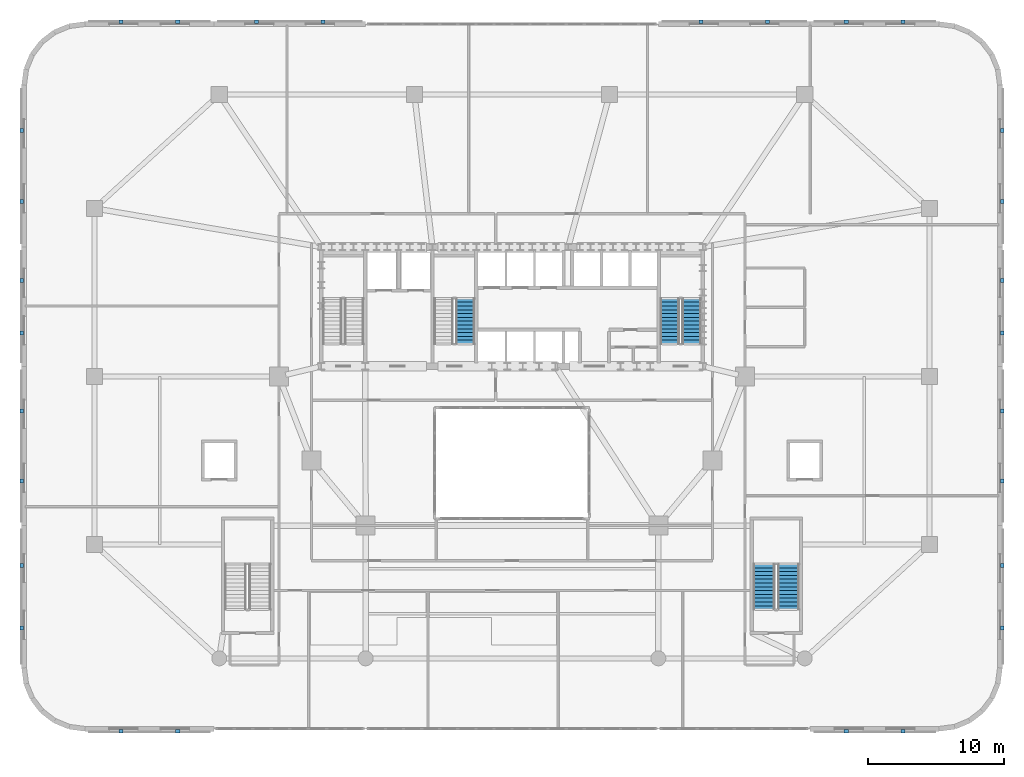
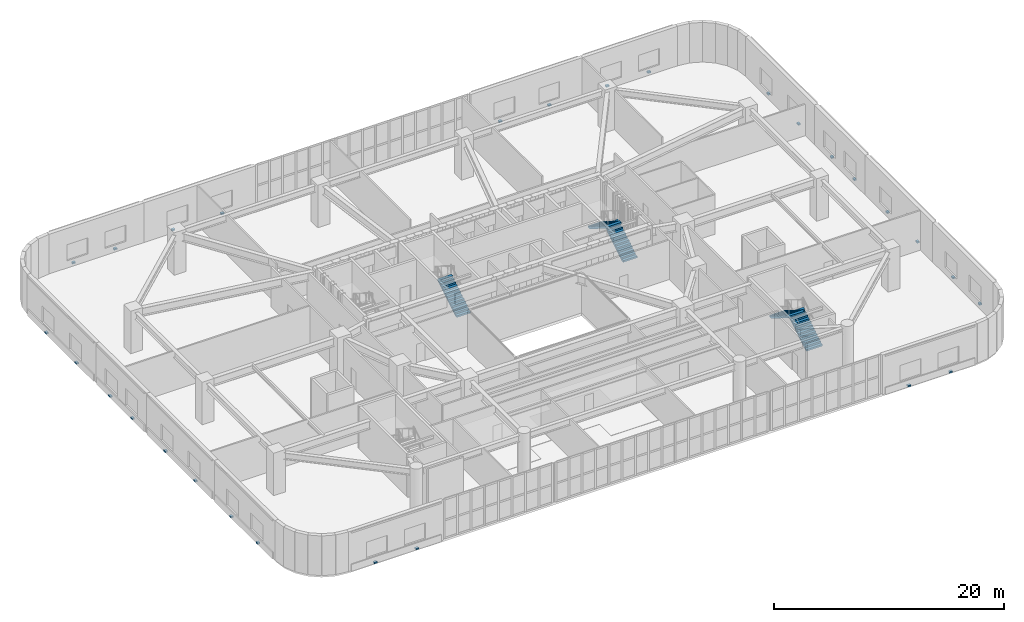
# One storey, part 18 of 25: 28 discrete accessories, 5 stair flights, 3 elements without a shape of their own.
"""IFC4 building model written with IfcOpenShell, lengths in metres."""

import ifcopenshell
import ifcopenshell.guid

model = None  # the IFC model being written
_history = None  # IfcOwnerHistory: only IFC2X3 demands one
_inside = {}  # id of a spatial element -> (the spatial element, [elements in it])
_under = {}  # id of a project, library or spatial element -> (it, [spatial elements below it])
_declared = {}  # id of a project -> (the project, [libraries it declares])
_typed = {}  # id of a type object -> (the type object, [elements of that type])
_made_of = {}  # id of a material, layer set ... -> (it, [elements and type objects made of it])


def new_model(schema):
    """Start an empty IFC model of exactly this schema.

    Asked for "IFC4X3", IfcOpenShell would pick the latest addendum, in which some entities
    have other attributes; the version numbers below select the first issue.
    IFC2X3 requires an IfcOwnerHistory on every rooted entity: one is made here for all.
    """
    global model, _history
    if schema == "IFC4X3":
        model = ifcopenshell.file(schema_version=(4, 3, 0, 0))
    else:
        model = ifcopenshell.file(schema=schema)
    _inside.clear()
    _under.clear()
    _declared.clear()
    _typed.clear()
    _made_of.clear()
    _history = None
    if model.schema == "IFC2X3":
        org = make("IfcOrganization", Name="unknown")
        user = make(
            "IfcPersonAndOrganization",
            ThePerson=make("IfcPerson", FamilyName="unknown"),
            TheOrganization=org,
        )
        app = make(
            "IfcApplication",
            ApplicationDeveloper=org,
            Version="unknown",
            ApplicationFullName="unknown",
            ApplicationIdentifier="unknown",
        )
        _history = make(
            "IfcOwnerHistory",
            OwningUser=user,
            OwningApplication=app,
            ChangeAction="ADDED",
            CreationDate=0,
        )
    return model


def make(cls, **values):
    """One entity of the class cls with the attributes given. An attribute that is None is left unset."""
    return model.create_entity(
        cls, **{name: value for name, value in values.items() if value is not None}
    )


def rooted(cls, **values):
    """An entity with a GlobalId (a new one), such as an element, a storey or a relation."""
    return make(cls, GlobalId=ifcopenshell.guid.new(), OwnerHistory=_history, **values)


def si_unit(unit_type, name, prefix=None):
    """IfcSIUnit, for example si_unit("LENGTHUNIT", "METRE", prefix="MILLI")."""
    return make("IfcSIUnit", UnitType=unit_type, Prefix=prefix, Name=name)


def assignment(units):
    """IfcUnitAssignment: the units of a project."""
    return None if units is None else make("IfcUnitAssignment", Units=units)


def point(xyz):
    """IfcCartesianPoint."""
    return None if xyz is None else make("IfcCartesianPoint", Coordinates=xyz)


def direction(xyz):
    """IfcDirection."""
    return None if xyz is None else make("IfcDirection", DirectionRatios=xyz)


def frame(location, z_axis=None, x_axis=None):
    """IfcAxis2Placement3D, a coordinate frame: its origin and axes. An axis left out is left unset."""
    return make(
        "IfcAxis2Placement3D",
        Location=point(location),
        Axis=direction(z_axis),
        RefDirection=direction(x_axis),
    )


def frame_2d(location, x_axis=None):
    """IfcAxis2Placement2D, a coordinate frame in the plane: its origin and x axis."""
    return make(
        "IfcAxis2Placement2D", Location=point(location), RefDirection=direction(x_axis)
    )


def origin():
    """The frame at (0, 0, 0) with its axes left unset."""
    return frame((0.0, 0.0, 0.0))


def origin_2d():
    """The frame at (0, 0) in the plane with its x axis left unset."""
    return frame_2d((0.0, 0.0))


def place(relative_to, where):
    """IfcLocalPlacement: puts the frame where relative to a parent placement (None: the world)."""
    return make(
        "IfcLocalPlacement", PlacementRelTo=relative_to, RelativePlacement=where
    )


def context(
    kind, dimensions, precision=None, world=None, true_north=None, identifier=None
):
    """IfcGeometricRepresentationContext, for example the 3D "Model" context."""
    return make(
        "IfcGeometricRepresentationContext",
        ContextIdentifier=identifier,
        ContextType=kind,
        CoordinateSpaceDimension=dimensions,
        Precision=precision,
        WorldCoordinateSystem=world,
        TrueNorth=true_north,
    )


def subcontext(parent, identifier, kind, view, scale=None):
    """IfcGeometricRepresentationSubContext, for example "Body" below "Model"."""
    return make(
        "IfcGeometricRepresentationSubContext",
        ContextIdentifier=identifier,
        ContextType=kind,
        ParentContext=parent,
        TargetScale=scale,
        TargetView=view,
    )


def project(units=None, contexts=None):
    """IfcProject with its units and contexts."""
    return rooted(
        "IfcProject",
        Name="project",
        RepresentationContexts=contexts,
        UnitsInContext=assignment(units),
    )


def spatial(cls, under=None, at=None, **own):
    """A site, building, storey or space (cls), placed at a placement, below another one or the project."""
    s = rooted(cls, ObjectPlacement=at, **own)
    if under is not None:
        _under.setdefault(under.id(), (under, []))[1].append(s)
    return s


def polyline(points):
    """IfcPolyline through the points."""
    return make("IfcPolyline", Points=[point(p) for p in points])


def profile(cls, at=None, kind="AREA", **sizes):
    """A parametric profile (cls). Its sizes go by their IFC names, for example OverallWidth=200.0."""
    return make(cls, ProfileType=kind, Position=at, **sizes)


def rectangle(**sizes):
    """IfcRectangleProfileDef."""
    return profile("IfcRectangleProfileDef", **sizes)


def outline(outer, holes=None, kind="AREA"):
    """IfcArbitraryClosedProfileDef: a profile drawn as a closed curve; with holes, ...WithVoids."""
    if holes is None:
        return make("IfcArbitraryClosedProfileDef", ProfileType=kind, OuterCurve=outer)
    return make(
        "IfcArbitraryProfileDefWithVoids",
        ProfileType=kind,
        OuterCurve=outer,
        InnerCurves=holes,
    )


def extrude(swept, where, along, depth):
    """IfcExtrudedAreaSolid: the profile swept, set in the frame where, extruded along a direction by depth."""
    return make(
        "IfcExtrudedAreaSolid",
        SweptArea=swept,
        Position=where,
        ExtrudedDirection=direction(along),
        Depth=depth,
    )


def shape(context_of_items, identifier, shape_type, items):
    """IfcShapeRepresentation: the items that make up one representation, for example the "Body"."""
    return make(
        "IfcShapeRepresentation",
        ContextOfItems=context_of_items,
        RepresentationIdentifier=identifier,
        RepresentationType=shape_type,
        Items=items,
    )


def material(Name=None, Category=None):
    """IfcMaterial."""
    return make("IfcMaterial", Name=Name, Category=Category)


def made_of(thing, what):
    """Note that an element or type object is made of a material, layer set ...; save() writes the relation."""
    if what is not None:
        _made_of.setdefault(what.id(), (what, []))[1].append(thing)
    return thing


def type_object(cls, material=None, **own):
    """A type object (cls), such as IfcWallType, which elements share."""
    return made_of(rooted(cls, **own), material)


def element(
    cls,
    number,
    at=None,
    inside=None,
    cuts=None,
    type_object=None,
    material=None,
    context=None,
    identifier="Body",
    shape_type=None,
    held_by="IfcProductDefinitionShape",
    body=None,
    shapes=None,
    **own,
):
    """One element of the class cls, such as IfcWall. Its Tag is "e" and its number.

    at: its placement. inside: the storey or other place that contains it. cuts: it is an
    opening in that element (IfcRelVoidsElement). A single representation is given by context,
    identifier, shape_type and body (its items); several are given by shapes. held_by: the class
    of the entity that holds the representations. save() writes the other relations.
    """
    e = rooted(cls, Tag="e%d" % number, ObjectPlacement=at, **own)
    if body is not None:
        shapes = [shape(context, identifier, shape_type, body)]
    if shapes is not None:
        e.Representation = make(held_by, Representations=shapes)
    if inside is not None:
        _inside.setdefault(inside.id(), (inside, []))[1].append(e)
    if cuts is not None:
        rooted(
            "IfcRelVoidsElement", RelatingBuildingElement=cuts, RelatedOpeningElement=e
        )
    if type_object is not None:
        _typed.setdefault(type_object.id(), (type_object, []))[1].append(e)
    return made_of(e, material)


def aggregate(whole, parts):
    """IfcRelAggregates: a whole, such as a stair, and the parts it consists of."""
    return rooted("IfcRelAggregates", RelatingObject=whole, RelatedObjects=parts)


def save(model, path):
    """Write the relations noted so far, then the file.

    IfcRelAggregates (storeys below a building ...), IfcRelContainedInSpatialStructure (elements
    in a storey), IfcRelDefinesByType, IfcRelAssociatesMaterial and IfcRelDeclares: one each for
    every whole, place, type object, material and project.
    """
    for whole, parts in _under.values():
        aggregate(whole, parts)
    for where, things in _inside.values():
        rooted(
            "IfcRelContainedInSpatialStructure",
            RelatedElements=things,
            RelatingStructure=where,
        )
    for kind, things in _typed.values():
        rooted("IfcRelDefinesByType", RelatedObjects=things, RelatingType=kind)
    for what, things in _made_of.values():
        rooted("IfcRelAssociatesMaterial", RelatedObjects=things, RelatingMaterial=what)
    for by, libraries in _declared.values():
        rooted("IfcRelDeclares", RelatingContext=by, RelatedDefinitions=libraries)
    model.write(path)


model = new_model("IFC4")

# Units and contexts
model_context = context("Model", 3, precision=1e-05, world=origin(), true_north=direction((0.0, 1.0)))
body_context = subcontext(model_context, "Body", "Model", "MODEL_VIEW")
ifc_project = project(units=[si_unit("LENGTHUNIT", "METRE"), si_unit("AREAUNIT", "SQUARE_METRE"), si_unit("VOLUMEUNIT", "CUBIC_METRE"), si_unit("PLANEANGLEUNIT", "RADIAN"), si_unit("MASSUNIT", "GRAM", prefix="KILO")], contexts=[model_context])

# Site, building, storey
site_placement = place(None, origin())
site = spatial("IfcSite", under=ifc_project, at=site_placement, CompositionType="ELEMENT")
building_placement = place(site_placement, origin())
building = spatial("IfcBuilding", under=site, at=building_placement, Name="Haldorwick Loom Tower", CompositionType="ELEMENT")
storey_placement = place(building_placement, frame((0.0, 0.0, 15.0)))
storey = spatial("IfcBuildingStorey", under=building, at=storey_placement, Name="L03", CompositionType="ELEMENT", Elevation=15.0)

# Stair, stair flights
ifc_material_1 = material(Name="Concrete C40 (40 MPa)", Category="concrete")
stair_type_1 = type_object("IfcStairType", Name="STR-STR-CORE", PredefinedType="HALF_TURN_STAIR", material=ifc_material_1)
stair_1_placement = place(storey_placement, origin())
stair_1 = element("IfcStair", 1, at=stair_1_placement, inside=storey, type_object=stair_type_1, Name="L03 Exit Stair ST-02", PredefinedType="HALF_TURN_STAIR")
stair_flight_type_1 = type_object("IfcStairFlightType", Name="STR-STF-1250", PredefinedType="STRAIGHT", material=ifc_material_1)
stair_flight_1_placement = place(storey_placement, frame((49.25, 28.39990234375, 0.0), z_axis=(0.0, 0.0, 1.0), x_axis=(0.0, 1.0, 0.0)))
stair_flight_1 = element("IfcStairFlight", 2, at=stair_flight_1_placement, type_object=stair_flight_type_1, Name="ST-02 flight 1", NumberOfRisers=13, NumberOfTreads=12, PredefinedType="STRAIGHT", RiserHeight=0.173076923, TreadLength=0.28, context=body_context, shape_type="SweptSolid", body=[
    extrude(outline(polyline([(0.0, 0.0), (0.0, 0.173095703125), (0.280029296875, 0.173095703125), (0.280029296875, 0.34619140625), (0.56005859375, 0.34619140625), (0.56005859375, 0.519287109375), (0.840087890625, 0.519287109375), (0.840087890625, 0.6923828125), (1.1201171875, 0.6923828125), (1.1201171875, 0.865478515625), (1.39990234375, 0.865478515625), (1.39990234375, 1.03857421875), (1.679931640625, 1.03857421875), (1.679931640625, 1.21142578125), (1.9599609375, 1.21142578125), (1.9599609375, 1.384521484375), (2.239990234375, 1.384521484375), (2.239990234375, 1.5576171875), (2.52001953125, 1.5576171875), (2.52001953125, 1.730712890625), (2.800048828125, 1.730712890625), (2.800048828125, 1.90380859375), (3.080078125, 1.90380859375), (3.080078125, 2.076904296875), (3.360107421875, 2.076904296875), (3.360107421875, 2.25), (3.360107421875, 1.900634765625), (0.28515625, 0.0), (0.0, 0.0)])), frame((0.0, 0.699951171875, 0.0), z_axis=(0.0, -1.0, 0.0), x_axis=(1.0, 0.0, 0.0)), (0.0, 0.0, 1.0), 1.39990234375),
])
stair_flight_2_placement = place(storey_placement, frame((47.64990234375, 31.760009765625, 2.25), z_axis=(0.0, 0.0, 1.0), x_axis=(0.0, -1.0, 0.0)))
stair_flight_2 = element("IfcStairFlight", 3, at=stair_flight_2_placement, type_object=stair_flight_type_1, Name="ST-02 flight 2", NumberOfRisers=13, NumberOfTreads=12, PredefinedType="STRAIGHT", RiserHeight=0.173076923, TreadLength=0.28, context=body_context, shape_type="SweptSolid", body=[
    extrude(outline(polyline([(0.0, 0.0), (0.0, 0.173095703125), (0.280029296875, 0.173095703125), (0.280029296875, 0.34619140625), (0.56005859375, 0.34619140625), (0.56005859375, 0.519287109375), (0.840087890625, 0.519287109375), (0.840087890625, 0.6923828125), (1.1201171875, 0.6923828125), (1.1201171875, 0.865478515625), (1.39990234375, 0.865478515625), (1.39990234375, 1.03857421875), (1.679931640625, 1.03857421875), (1.679931640625, 1.21142578125), (1.9599609375, 1.21142578125), (1.9599609375, 1.384521484375), (2.239990234375, 1.384521484375), (2.239990234375, 1.5576171875), (2.52001953125, 1.5576171875), (2.52001953125, 1.730712890625), (2.800048828125, 1.730712890625), (2.800048828125, 1.90380859375), (3.080078125, 1.90380859375), (3.080078125, 2.076904296875), (3.360107421875, 2.076904296875), (3.360107421875, 2.25), (3.360107421875, 1.900634765625), (0.28515625, 0.0), (0.0, 0.0)])), frame((0.0, 0.699951171875, 0.0), z_axis=(0.0, -1.0, 0.0), x_axis=(1.0, 0.0, 0.0)), (0.0, 0.0, 1.0), 1.39990234375),
])
aggregate(stair_1, [stair_flight_1, stair_flight_2])

# Stair, stair flight
stair_2_placement = place(storey_placement, origin())
stair_2 = element("IfcStair", 4, at=stair_2_placement, inside=storey, type_object=stair_type_1, Name="L03 Exit Stair ST-03", PredefinedType="HALF_TURN_STAIR")
stair_flight_3_placement = place(storey_placement, frame((32.550048828125, 28.39990234375, 0.0), z_axis=(0.0, 0.0, 1.0), x_axis=(0.0, 1.0, 0.0)))
stair_flight_3 = element("IfcStairFlight", 5, at=stair_flight_3_placement, type_object=stair_flight_type_1, Name="ST-03 flight 1", NumberOfRisers=13, NumberOfTreads=12, PredefinedType="STRAIGHT", RiserHeight=0.173076923, TreadLength=0.28, context=body_context, shape_type="SweptSolid", body=[
    extrude(outline(polyline([(0.0, 0.0), (0.0, 0.173095703125), (0.280029296875, 0.173095703125), (0.280029296875, 0.34619140625), (0.56005859375, 0.34619140625), (0.56005859375, 0.519287109375), (0.840087890625, 0.519287109375), (0.840087890625, 0.6923828125), (1.1201171875, 0.6923828125), (1.1201171875, 0.865478515625), (1.39990234375, 0.865478515625), (1.39990234375, 1.03857421875), (1.679931640625, 1.03857421875), (1.679931640625, 1.21142578125), (1.9599609375, 1.21142578125), (1.9599609375, 1.384521484375), (2.239990234375, 1.384521484375), (2.239990234375, 1.5576171875), (2.52001953125, 1.5576171875), (2.52001953125, 1.730712890625), (2.800048828125, 1.730712890625), (2.800048828125, 1.90380859375), (3.080078125, 1.90380859375), (3.080078125, 2.076904296875), (3.360107421875, 2.076904296875), (3.360107421875, 2.25), (3.360107421875, 1.900634765625), (0.28515625, 0.0), (0.0, 0.0)])), frame((0.0, 0.699951171875, 0.0), z_axis=(0.0, -1.0, 0.0), x_axis=(1.0, 0.0, 0.0)), (0.0, 0.0, 1.0), 1.39990234375),
])
aggregate(stair_2, [stair_flight_3])

# Stair, stair flights
stair_type_2 = type_object("IfcStairType", Name="STR-STR-POD", PredefinedType="HALF_TURN_STAIR", material=ifc_material_1)
stair_3_placement = place(storey_placement, origin())
stair_3 = element("IfcStair", 6, at=stair_3_placement, inside=storey, type_object=stair_type_2, Name="L03 Exit Stair ST-P2", PredefinedType="HALF_TURN_STAIR")
stair_flight_type_2 = type_object("IfcStairFlightType", Name="STR-STF-1450", PredefinedType="STRAIGHT", material=ifc_material_1)
stair_flight_4_placement = place(storey_placement, frame((56.39990234375, 8.800048828125, 0.0), z_axis=(0.0, 0.0, 1.0), x_axis=(0.0, 1.0, 0.0)))
stair_flight_4 = element("IfcStairFlight", 7, at=stair_flight_4_placement, type_object=stair_flight_type_2, Name="ST-P2 flight 1", NumberOfRisers=13, NumberOfTreads=12, PredefinedType="STRAIGHT", RiserHeight=0.173076923, TreadLength=0.28, context=body_context, shape_type="SweptSolid", body=[
    extrude(outline(polyline([(0.0, 0.0), (0.0, 0.173095703125), (0.280029296875, 0.173095703125), (0.280029296875, 0.34619140625), (0.56005859375, 0.34619140625), (0.56005859375, 0.519287109375), (0.840087890625, 0.519287109375), (0.840087890625, 0.6923828125), (1.1201171875, 0.6923828125), (1.1201171875, 0.865478515625), (1.39990234375, 0.865478515625), (1.39990234375, 1.03857421875), (1.679931640625, 1.03857421875), (1.679931640625, 1.21142578125), (1.9599609375, 1.21142578125), (1.9599609375, 1.384521484375), (2.239990234375, 1.384521484375), (2.239990234375, 1.5576171875), (2.52001953125, 1.5576171875), (2.52001953125, 1.730712890625), (2.800048828125, 1.730712890625), (2.800048828125, 1.90380859375), (3.080078125, 1.90380859375), (3.080078125, 2.076904296875), (3.360107421875, 2.076904296875), (3.360107421875, 2.25), (3.360107421875, 1.900634765625), (0.28515625, 0.0), (0.0, 0.0)])), frame((0.0, 0.800048828125, 0.0), z_axis=(0.0, -1.0, 0.0), x_axis=(1.0, 0.0, 0.0)), (0.0, 0.0, 1.0), 1.60009765625),
])
stair_flight_5_placement = place(storey_placement, frame((54.60009765625, 12.159912109375, 2.25), z_axis=(0.0, 0.0, 1.0), x_axis=(0.0, -1.0, 0.0)))
stair_flight_5 = element("IfcStairFlight", 8, at=stair_flight_5_placement, type_object=stair_flight_type_2, Name="ST-P2 flight 2", NumberOfRisers=13, NumberOfTreads=12, PredefinedType="STRAIGHT", RiserHeight=0.173076923, TreadLength=0.28, context=body_context, shape_type="SweptSolid", body=[
    extrude(outline(polyline([(0.0, 0.0), (0.0, 0.173095703125), (0.280029296875, 0.173095703125), (0.280029296875, 0.34619140625), (0.56005859375, 0.34619140625), (0.56005859375, 0.519287109375), (0.840087890625, 0.519287109375), (0.840087890625, 0.6923828125), (1.1201171875, 0.6923828125), (1.1201171875, 0.865478515625), (1.39990234375, 0.865478515625), (1.39990234375, 1.03857421875), (1.679931640625, 1.03857421875), (1.679931640625, 1.21142578125), (1.9599609375, 1.21142578125), (1.9599609375, 1.384521484375), (2.239990234375, 1.384521484375), (2.239990234375, 1.5576171875), (2.52001953125, 1.5576171875), (2.52001953125, 1.730712890625), (2.800048828125, 1.730712890625), (2.800048828125, 1.90380859375), (3.080078125, 1.90380859375), (3.080078125, 2.076904296875), (3.360107421875, 2.076904296875), (3.360107421875, 2.25), (3.360107421875, 1.900634765625), (0.28515625, 0.0), (0.0, 0.0)])), frame((0.0, 0.800048828125, 0.0), z_axis=(0.0, -1.0, 0.0), x_axis=(1.0, 0.0, 0.0)), (0.0, 0.0, 1.0), 1.60009765625),
])
aggregate(stair_3, [stair_flight_4, stair_flight_5])

# Discrete accessories
ifc_material_2 = material(Name="Galvanized Steel CSA G40.21 350W", Category="steel")
discrete_accessory_type = type_object("IfcDiscreteAccessoryType", Name="ARC-ACC-BRACKET", PredefinedType="BRACKET", material=ifc_material_2)
for number, where, z_axis, x_axis, name in (
    (9, (72.179931640625, 7.43994140625, 0.0), (0.0, 0.0, 1.0), (0.0, 1.0, 0.0), "L03 Stainless Masonry Shelf Angle Bracket 7L"),
    (10, (72.179931640625, 12.06005859375, 0.0), (0.0, 0.0, 1.0), (0.0, 1.0, 0.0), "L03 Stainless Masonry Shelf Angle Bracket 7R"),
    (11, (72.179931640625, 18.2900390625, 0.0), (0.0, 0.0, 1.0), (0.0, 1.0, 0.0), "L03 Stainless Masonry Shelf Angle Bracket 8L"),
    (12, (72.179931640625, 23.4599609375, 0.0), (0.0, 0.0, 1.0), (0.0, 1.0, 0.0), "L03 Stainless Masonry Shelf Angle Bracket 8R"),
    (13, (72.179931640625, 29.214111328125, 0.0), (0.0, 0.0, 1.0), (0.0, 1.0, 0.0), "L03 Stainless Masonry Shelf Angle Bracket 9L"),
    (14, (72.179931640625, 33.0859375, 0.0), (0.0, 0.0, 1.0), (0.0, 1.0, 0.0), "L03 Stainless Masonry Shelf Angle Bracket 9R"),
    (15, (72.179931640625, 38.89599609375, 0.0), (0.0, 0.0, 1.0), (0.0, 1.0, 0.0), "L03 Stainless Masonry Shelf Angle Bracket 10L"),
    (16, (72.179931640625, 44.154052734375, 0.0), (0.0, 0.0, 1.0), (0.0, 1.0, 0.0), "L03 Stainless Masonry Shelf Angle Bracket 10R"),
    (17, (64.840087890625, 52.179931640625, 0.0), (0.0, 0.0, 1.0), (-1.0, 0.0, 0.0), "L03 Stainless Masonry Shelf Angle Bracket 17L"),
    (18, (60.659912109375, 52.179931640625, 0.0), (0.0, 0.0, 1.0), (-1.0, 0.0, 0.0), "L03 Stainless Masonry Shelf Angle Bracket 17R"),
    (19, (54.864013671875, 52.179931640625, 0.0), (0.0, 0.0, 1.0), (-1.0, 0.0, 0.0), "L03 Stainless Masonry Shelf Angle Bracket 18L"),
    (20, (49.93603515625, 52.179931640625, 0.0), (0.0, 0.0, 1.0), (-1.0, 0.0, 0.0), "L03 Stainless Masonry Shelf Angle Bracket 18R"),
    (21, (22.06396484375, 52.179931640625, 0.0), (0.0, 0.0, 1.0), (-1.0, 0.0, 0.0), "L03 Stainless Masonry Shelf Angle Bracket 20L"),
    (22, (17.135986328125, 52.179931640625, 0.0), (0.0, 0.0, 1.0), (-1.0, 0.0, 0.0), "L03 Stainless Masonry Shelf Angle Bracket 20R"),
    (23, (11.340087890625, 52.179931640625, 0.0), (0.0, 0.0, 1.0), (-1.0, 0.0, 0.0), "L03 Stainless Masonry Shelf Angle Bracket 21L"),
    (24, (7.159912109375, 52.179931640625, 0.0), (0.0, 0.0, 1.0), (-1.0, 0.0, 0.0), "L03 Stainless Masonry Shelf Angle Bracket 21R"),
    (25, (-0.179931640625, 44.154052734375, 0.0), (0.0, 0.0, 1.0), (0.0, -1.0, 0.0), "L03 Stainless Masonry Shelf Angle Bracket 28L"),
    (26, (-0.179931640625, 38.89599609375, 0.0), (0.0, 0.0, 1.0), (0.0, -1.0, 0.0), "L03 Stainless Masonry Shelf Angle Bracket 28R"),
    (27, (-0.179931640625, 33.0859375, 0.0), (0.0, 0.0, 1.0), (0.0, -1.0, 0.0), "L03 Stainless Masonry Shelf Angle Bracket 29L"),
    (28, (-0.179931640625, 29.214111328125, 0.0), (0.0, 0.0, 1.0), (0.0, -1.0, 0.0), "L03 Stainless Masonry Shelf Angle Bracket 29R"),
    (29, (-0.179931640625, 23.4599609375, 0.0), (0.0, 0.0, 1.0), (0.0, -1.0, 0.0), "L03 Stainless Masonry Shelf Angle Bracket 30L"),
    (30, (-0.179931640625, 18.2900390625, 0.0), (0.0, 0.0, 1.0), (0.0, -1.0, 0.0), "L03 Stainless Masonry Shelf Angle Bracket 30R"),
    (31, (-0.179931640625, 12.06005859375, 0.0), (0.0, 0.0, 1.0), (0.0, -1.0, 0.0), "L03 Stainless Masonry Shelf Angle Bracket 31L"),
    (32, (-0.179931640625, 7.43994140625, 0.0), (0.0, 0.0, 1.0), (0.0, -1.0, 0.0), "L03 Stainless Masonry Shelf Angle Bracket 31R"),
    (33, (7.159912109375, -0.179931640625, 0.0), (0.0, 0.0, 1.0), (1.0, 0.0, 0.0), "L03 Stainless Masonry Shelf Angle Bracket 38L"),
    (34, (11.340087890625, -0.179931640625, 0.0), (0.0, 0.0, 1.0), (1.0, 0.0, 0.0), "L03 Stainless Masonry Shelf Angle Bracket 38R"),
    (35, (60.659912109375, -0.179931640625, 0.0), (0.0, 0.0, 1.0), (1.0, 0.0, 0.0), "L03 Stainless Masonry Shelf Angle Bracket 42L"),
    (36, (64.840087890625, -0.179931640625, 0.0), (0.0, 0.0, 1.0), (1.0, 0.0, 0.0), "L03 Stainless Masonry Shelf Angle Bracket 42R"),
):
    element("IfcDiscreteAccessory", number, at=place(storey_placement, frame(where, z_axis=z_axis, x_axis=x_axis)), inside=storey, type_object=discrete_accessory_type, Name=name, PredefinedType="BRACKET", context=body_context, shape_type="SweptSolid", body=[
        extrude(rectangle(XDim=0.300048828125, YDim=0.239990234375, at=origin_2d()), origin(), (0.0, 0.0, 1.0), 0.159912109375),
    ])

save(model, "model.ifc")
